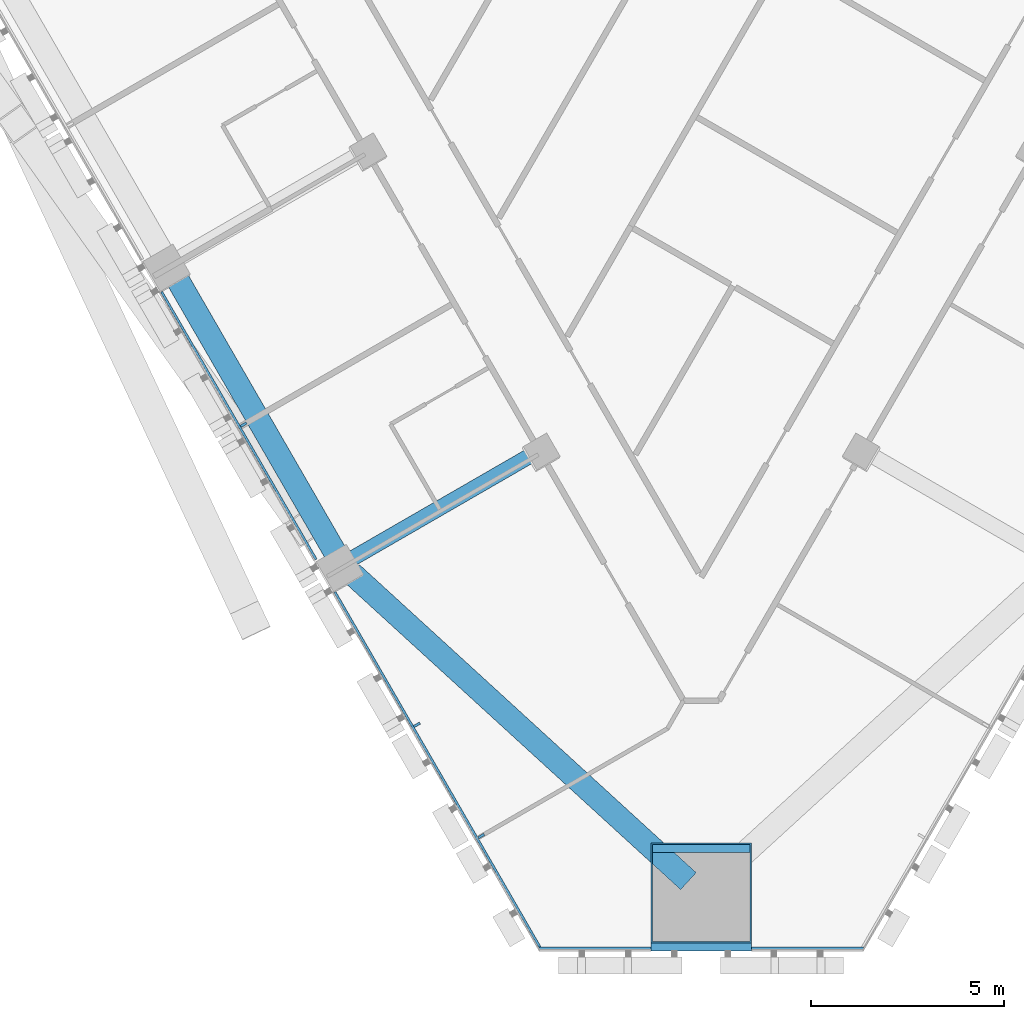
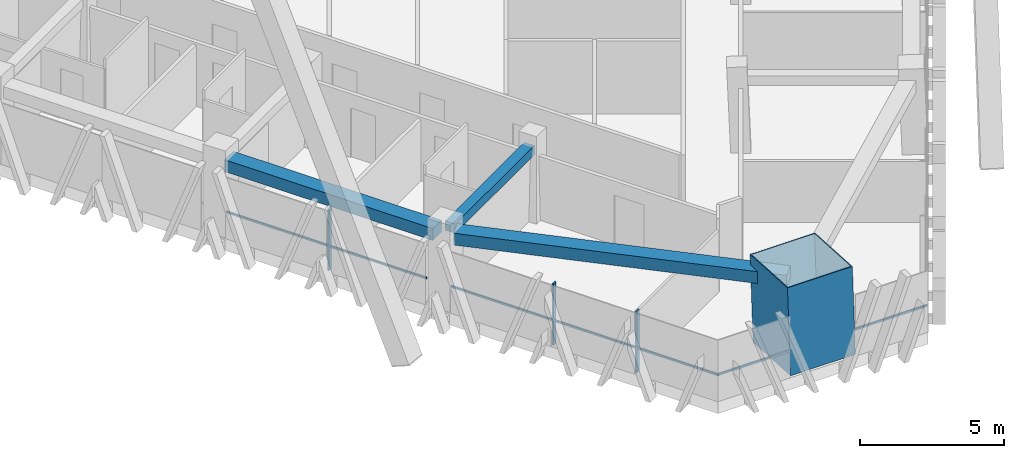
# One storey, part 2 of 23: 8 members, 3 beams, 2 elements without a shape of their own.
"""IFC4 building model written with IfcOpenShell, lengths in metres."""

from ifc_helpers import new_model, si_unit, direction, frame, origin, origin_2d, place, context, subcontext, project, spatial, rectangle, hollow_rectangle, extrude, material, layer, layer_set, material_profile, profile_set, type_object, element, aggregate, save


model = new_model("IFC4")

# Units and contexts
model_context = context("Model", 3, precision=1e-05, world=origin(), true_north=direction((0.0, 1.0)))
body_context = subcontext(model_context, "Body", "Model", "MODEL_VIEW")
ifc_project = project(units=[si_unit("LENGTHUNIT", "METRE"), si_unit("AREAUNIT", "SQUARE_METRE"), si_unit("VOLUMEUNIT", "CUBIC_METRE"), si_unit("PLANEANGLEUNIT", "RADIAN"), si_unit("MASSUNIT", "GRAM", prefix="KILO")], contexts=[model_context])

# Site, building, storey
site_placement = place(None, origin())
site = spatial("IfcSite", under=ifc_project, at=site_placement, CompositionType="ELEMENT")
building_placement = place(site_placement, origin())
building = spatial("IfcBuilding", under=site, at=building_placement, Name="Altiplano Prism Tower", CompositionType="ELEMENT")
storey_placement = place(building_placement, frame((0.0, 0.0, 100.800048828125)))
storey = spatial("IfcBuildingStorey", under=building, at=storey_placement, Name="L25", CompositionType="ELEMENT", Elevation=100.800048828125)

# Curtain wall, members
ifc_material_1 = material(Name="Aluminium and glass", Category="aluminium")
ifc_layer = layer(ifc_material_1, 0.280029296875)
ifc_layer_set = layer_set([ifc_layer], Name="Aluminium and glass")
curtain_wall_type = type_object("IfcCurtainWallType", Name="CW1 typical co-living unitised curtain wall", PredefinedType="NOTDEFINED", material=ifc_layer_set)
curtain_wall_1_placement = place(storey_placement, origin())
curtain_wall_1 = element("IfcCurtainWall", 1, at=curtain_wall_1_placement, inside=storey, type_object=curtain_wall_type, Name="CW1 curtain wall south-west face L25", PredefinedType="NOTDEFINED")
ifc_material_2 = material(Name="Aluminium", Category="aluminium")
ifc_material_profile_1 = material_profile(ifc_material_2, rectangle(XDim=0.179931640625, YDim=0.06494140625, at=origin_2d()), Name="CW1 mullion 65 x 180")
ifc_profile_set_1 = profile_set([ifc_material_profile_1], Name="Aluminium")
member_type_1 = type_object("IfcMemberType", Name="CW1 mullion 65 x 180", PredefinedType="MULLION", material=ifc_profile_set_1)
member_1_placement = place(storey_placement, frame((73.117919921875, 68.640869140625, 0.0), z_axis=(0.0, 0.0, 1.0), x_axis=(0.866025402825, 0.500000001663, 0.0)))
member_1 = element("IfcMember", 2, at=member_1_placement, type_object=member_type_1, Name="CW1 mullion", PredefinedType="MULLION", context=body_context, shape_type="SweptSolid", body=[
    extrude(rectangle(XDim=0.179931640625, YDim=0.06494140625, at=origin_2d()), origin(), (0.0, 0.0, 1.0), 2.599853515625),
])
member_2_placement = place(storey_placement, frame((77.617919921875, 60.8466796875, 0.0), z_axis=(0.0, 0.0, 1.0), x_axis=(0.866025402825, 0.500000001663, 0.0)))
member_2 = element("IfcMember", 3, at=member_2_placement, type_object=member_type_1, Name="CW1 mullion", PredefinedType="MULLION", context=body_context, shape_type="SweptSolid", body=[
    extrude(rectangle(XDim=0.179931640625, YDim=0.06494140625, at=origin_2d()), origin(), (0.0, 0.0, 1.0), 2.599853515625),
])
member_3_placement = place(storey_placement, frame((79.28564453125, 57.9580078125, 0.0), z_axis=(0.0, 0.0, 1.0), x_axis=(0.866025402825, 0.500000001663, 0.0)))
member_3 = element("IfcMember", 4, at=member_3_placement, type_object=member_type_1, Name="CW1 mullion", PredefinedType="MULLION", context=body_context, shape_type="SweptSolid", body=[
    extrude(rectangle(XDim=0.179931640625, YDim=0.06494140625, at=origin_2d()), origin(), (0.0, 0.0, 1.0), 2.599853515625),
])
ifc_material_profile_2 = material_profile(ifc_material_2, rectangle(XDim=0.06005859375, YDim=0.080078125, at=origin_2d()), Name="CW1 transom 80 x 60")
ifc_profile_set_2 = profile_set([ifc_material_profile_2], Name="Aluminium")
member_type_2 = type_object("IfcMemberType", Name="CW1 transom 80 x 60", PredefinedType="USERDEFINED", material=ifc_profile_set_2)
member_4_placement = place(storey_placement, frame((70.989013671875, 72.08837890625, 1.099853515625), z_axis=(0.499972775009, -0.86604112157, 0.0), x_axis=(0.86604112157, 0.499972775009, 0.0)))
member_4 = element("IfcMember", 5, at=member_4_placement, type_object=member_type_2, Name="CW1 transom", ObjectType="TRANSOM", PredefinedType="USERDEFINED", context=body_context, shape_type="SweptSolid", body=[
    extrude(rectangle(XDim=0.06005859375, YDim=0.080078125, at=origin_2d()), origin(), (0.0, 0.0, 1.0), 8.0205078125),
])
member_5_placement = place(storey_placement, frame((75.489013671875, 64.294189453125, 1.099853515625), z_axis=(0.499996446128, -0.866027455604, 0.0), x_axis=(0.866027455604, 0.499996446128, 0.0)))
member_5 = element("IfcMember", 6, at=member_5_placement, type_object=member_type_2, Name="CW1 transom", ObjectType="TRANSOM", PredefinedType="USERDEFINED", context=body_context, shape_type="SweptSolid", body=[
    extrude(rectangle(XDim=0.06005859375, YDim=0.080078125, at=origin_2d()), origin(), (0.0, 0.0, 1.0), 10.72119140625),
])
aggregate(curtain_wall_1, [member_1, member_4, member_2, member_3, member_5])

curtain_wall_2_placement = place(storey_placement, origin())
curtain_wall_2 = element("IfcCurtainWall", 7, at=curtain_wall_2_placement, inside=storey, type_object=curtain_wall_type, Name="CW1 curtain wall south chamfer L25", PredefinedType="NOTDEFINED")
member_6_placement = place(storey_placement, frame((80.7890625, 55.044189453125, 1.099853515625), z_axis=(1.0, 0.0, 0.0), x_axis=(0.0, 1.0, 0.0)))
member_6 = element("IfcMember", 8, at=member_6_placement, type_object=member_type_2, Name="CW1 transom", ObjectType="TRANSOM", PredefinedType="USERDEFINED", context=body_context, shape_type="SweptSolid", body=[
    extrude(rectangle(XDim=0.06005859375, YDim=0.080078125, at=origin_2d()), origin(), (0.0, 0.0, 1.0), 2.910888671875),
])
member_7_placement = place(storey_placement, frame((86.300048828125, 55.044189453125, 1.099853515625), z_axis=(1.0, 0.0, 0.0), x_axis=(0.0, 1.0, 0.0)))
member_7 = element("IfcMember", 9, at=member_7_placement, type_object=member_type_2, Name="CW1 transom", ObjectType="TRANSOM", PredefinedType="USERDEFINED", context=body_context, shape_type="SweptSolid", body=[
    extrude(rectangle(XDim=0.06005859375, YDim=0.080078125, at=origin_2d()), origin(), (0.0, 0.0, 1.0), 2.910888671875),
])
aggregate(curtain_wall_2, [member_6, member_7])

# Beams
ifc_material_3 = material(Name="Concrete C60/75", Category="concrete")
ifc_material_profile_3 = material_profile(ifc_material_3, rectangle(XDim=0.60009765625, YDim=0.5, at=origin_2d()), Name="Edge beam 600x500")
ifc_profile_set_3 = profile_set([ifc_material_profile_3], Name="Concrete C60/75")
beam_type_1 = type_object("IfcBeamType", Name="Edge beam 600x500", PredefinedType="SPANDREL", material=ifc_profile_set_3)
beam_1_placement = place(storey_placement, frame((71.337890625, 72.520751953125, 2.849853515625), z_axis=(0.500014701701, -0.866016915587, 0.0), x_axis=(0.866016915587, 0.500014701701, 0.0)))
element("IfcBeam", 10, at=beam_1_placement, inside=storey, type_object=beam_type_1, Name="Edge beam P13-P14 L26", PredefinedType="SPANDREL", context=body_context, shape_type="SweptSolid", body=[
    extrude(rectangle(XDim=0.60009765625, YDim=0.5, at=origin_2d()), origin(), (0.0, 0.0, 1.0), 8.340087890625),
])
beam_2_placement = place(storey_placement, frame((75.9326171875, 64.77490234375, 2.849853515625), z_axis=(0.738030279454, -0.674767594516, 0.0), x_axis=(0.674767594516, 0.738030279454, 0.0)))
element("IfcBeam", 11, at=beam_2_placement, inside=storey, type_object=beam_type_1, Name="Edge beam P14-M1 L26", PredefinedType="SPANDREL", context=body_context, shape_type="SweptSolid", body=[
    extrude(rectangle(XDim=0.60009765625, YDim=0.5, at=origin_2d()), origin(), (0.0, 0.0, 1.0), 11.8359375),
])

# Member
ifc_material_4 = material(Name="Steel S460", Category="steel")
ifc_material_profile_4 = material_profile(ifc_material_4, hollow_rectangle(XDim=2.60009765625, YDim=2.60009765625, WallThickness=0.0400390625, at=origin_2d()), Name="Mega column tube 2600")
ifc_profile_set_4 = profile_set([ifc_material_profile_4], Name="Steel S460")
member_type_3 = type_object("IfcMemberType", Name="Mega column tube 2600", PredefinedType="POST", material=ifc_profile_set_4)
member_8_placement = place(storey_placement, frame((85.0, 56.274169921875, 0.0), z_axis=(0.0, 0.058360852261, 0.998295552892), x_axis=(-1.0, 0.0, 0.0)))
element("IfcMember", 12, at=member_8_placement, inside=storey, type_object=member_type_3, Name="Mega column tube M1 L25", PredefinedType="POST", context=body_context, shape_type="SweptSolid", body=[
    extrude(hollow_rectangle(XDim=2.60009765625, YDim=2.60009765625, WallThickness=0.0400390625, at=origin_2d()), origin(), (0.0, 0.0, 1.0), 3.60595703125),
])

# Beam
ifc_material_profile_5 = material_profile(ifc_material_3, rectangle(XDim=0.39990234375, YDim=0.39990234375, at=origin_2d()), Name="Tie beam 400x400")
ifc_profile_set_5 = profile_set([ifc_material_profile_5], Name="Concrete C60/75")
beam_type_2 = type_object("IfcBeamType", Name="Tie beam 400x400", PredefinedType="BEAM", material=ifc_profile_set_5)
beam_3_placement = place(storey_placement, frame((80.713134765625, 67.92236328125, 2.89990234375), z_axis=(-0.866031549307, -0.499989355492, 0.0), x_axis=(0.499989355492, -0.866031549307, 0.0)))
element("IfcBeam", 13, at=beam_3_placement, inside=storey, type_object=beam_type_2, Name="Tie beam I14 L26", PredefinedType="BEAM", context=body_context, shape_type="SweptSolid", body=[
    extrude(rectangle(XDim=0.39990234375, YDim=0.39990234375, at=origin_2d()), origin(), (0.0, 0.0, 1.0), 5.48974609375),
])

save(model, "model.ifc")
